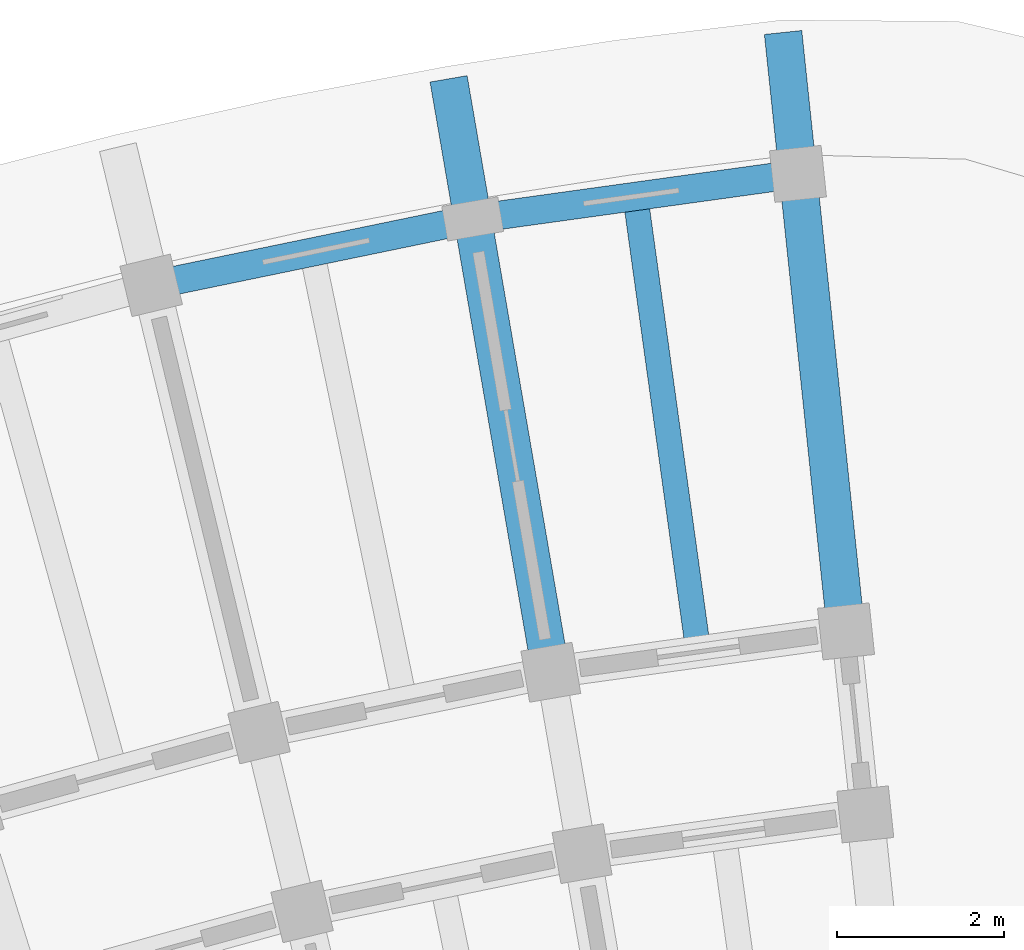
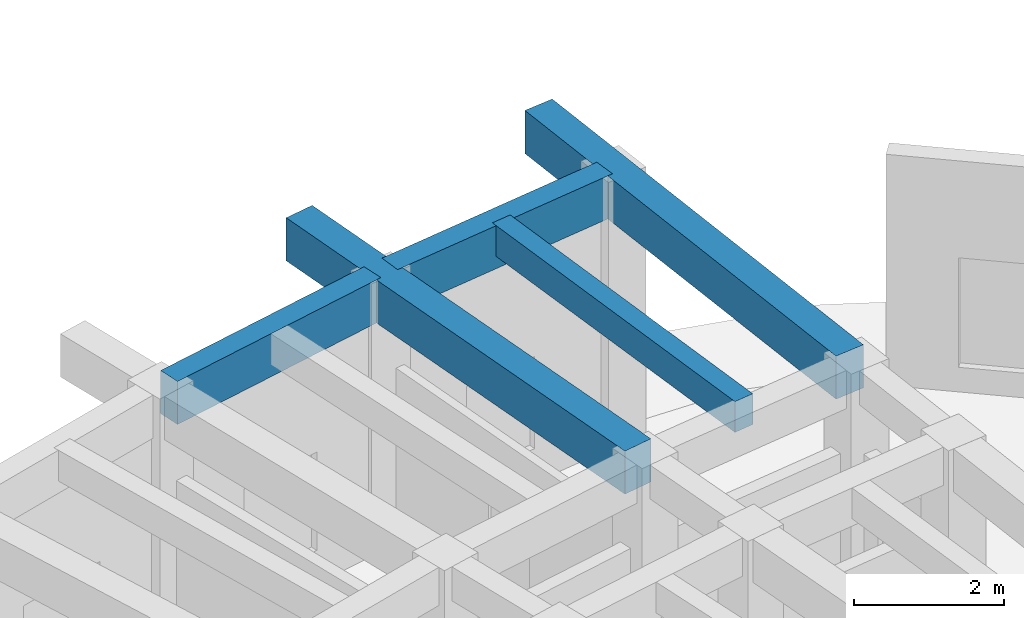
# One storey, part 42 of 132: 5 beams.
"""IFC4 building model written with IfcOpenShell, lengths in metres."""

import ifcopenshell
import ifcopenshell.guid

model = None  # the IFC model being written
_history = None  # IfcOwnerHistory: only IFC2X3 demands one
_inside = {}  # id of a spatial element -> (the spatial element, [elements in it])
_under = {}  # id of a project, library or spatial element -> (it, [spatial elements below it])
_declared = {}  # id of a project -> (the project, [libraries it declares])
_typed = {}  # id of a type object -> (the type object, [elements of that type])
_made_of = {}  # id of a material, layer set ... -> (it, [elements and type objects made of it])


def new_model(schema):
    """Start an empty IFC model of exactly this schema.

    Asked for "IFC4X3", IfcOpenShell would pick the latest addendum, in which some entities
    have other attributes; the version numbers below select the first issue.
    IFC2X3 requires an IfcOwnerHistory on every rooted entity: one is made here for all.
    """
    global model, _history
    if schema == "IFC4X3":
        model = ifcopenshell.file(schema_version=(4, 3, 0, 0))
    else:
        model = ifcopenshell.file(schema=schema)
    _inside.clear()
    _under.clear()
    _declared.clear()
    _typed.clear()
    _made_of.clear()
    _history = None
    if model.schema == "IFC2X3":
        org = make("IfcOrganization", Name="unknown")
        user = make(
            "IfcPersonAndOrganization",
            ThePerson=make("IfcPerson", FamilyName="unknown"),
            TheOrganization=org,
        )
        app = make(
            "IfcApplication",
            ApplicationDeveloper=org,
            Version="unknown",
            ApplicationFullName="unknown",
            ApplicationIdentifier="unknown",
        )
        _history = make(
            "IfcOwnerHistory",
            OwningUser=user,
            OwningApplication=app,
            ChangeAction="ADDED",
            CreationDate=0,
        )
    return model


def make(cls, **values):
    """One entity of the class cls with the attributes given. An attribute that is None is left unset."""
    return model.create_entity(
        cls, **{name: value for name, value in values.items() if value is not None}
    )


def rooted(cls, **values):
    """An entity with a GlobalId (a new one), such as an element, a storey or a relation."""
    return make(cls, GlobalId=ifcopenshell.guid.new(), OwnerHistory=_history, **values)


def si_unit(unit_type, name, prefix=None):
    """IfcSIUnit, for example si_unit("LENGTHUNIT", "METRE", prefix="MILLI")."""
    return make("IfcSIUnit", UnitType=unit_type, Prefix=prefix, Name=name)


def assignment(units):
    """IfcUnitAssignment: the units of a project."""
    return None if units is None else make("IfcUnitAssignment", Units=units)


def point(xyz):
    """IfcCartesianPoint."""
    return None if xyz is None else make("IfcCartesianPoint", Coordinates=xyz)


def direction(xyz):
    """IfcDirection."""
    return None if xyz is None else make("IfcDirection", DirectionRatios=xyz)


def frame(location, z_axis=None, x_axis=None):
    """IfcAxis2Placement3D, a coordinate frame: its origin and axes. An axis left out is left unset."""
    return make(
        "IfcAxis2Placement3D",
        Location=point(location),
        Axis=direction(z_axis),
        RefDirection=direction(x_axis),
    )


def frame_2d(location, x_axis=None):
    """IfcAxis2Placement2D, a coordinate frame in the plane: its origin and x axis."""
    return make(
        "IfcAxis2Placement2D", Location=point(location), RefDirection=direction(x_axis)
    )


def origin():
    """The frame at (0, 0, 0) with its axes left unset."""
    return frame((0.0, 0.0, 0.0))


def origin_2d():
    """The frame at (0, 0) in the plane with its x axis left unset."""
    return frame_2d((0.0, 0.0))


def place(relative_to, where):
    """IfcLocalPlacement: puts the frame where relative to a parent placement (None: the world)."""
    return make(
        "IfcLocalPlacement", PlacementRelTo=relative_to, RelativePlacement=where
    )


def context(
    kind, dimensions, precision=None, world=None, true_north=None, identifier=None
):
    """IfcGeometricRepresentationContext, for example the 3D "Model" context."""
    return make(
        "IfcGeometricRepresentationContext",
        ContextIdentifier=identifier,
        ContextType=kind,
        CoordinateSpaceDimension=dimensions,
        Precision=precision,
        WorldCoordinateSystem=world,
        TrueNorth=true_north,
    )


def subcontext(parent, identifier, kind, view, scale=None):
    """IfcGeometricRepresentationSubContext, for example "Body" below "Model"."""
    return make(
        "IfcGeometricRepresentationSubContext",
        ContextIdentifier=identifier,
        ContextType=kind,
        ParentContext=parent,
        TargetScale=scale,
        TargetView=view,
    )


def project(units=None, contexts=None):
    """IfcProject with its units and contexts."""
    return rooted(
        "IfcProject",
        Name="project",
        RepresentationContexts=contexts,
        UnitsInContext=assignment(units),
    )


def spatial(cls, under=None, at=None, **own):
    """A site, building, storey or space (cls), placed at a placement, below another one or the project."""
    s = rooted(cls, ObjectPlacement=at, **own)
    if under is not None:
        _under.setdefault(under.id(), (under, []))[1].append(s)
    return s


def profile(cls, at=None, kind="AREA", **sizes):
    """A parametric profile (cls). Its sizes go by their IFC names, for example OverallWidth=200.0."""
    return make(cls, ProfileType=kind, Position=at, **sizes)


def rectangle(**sizes):
    """IfcRectangleProfileDef."""
    return profile("IfcRectangleProfileDef", **sizes)


def extrude(swept, where, along, depth):
    """IfcExtrudedAreaSolid: the profile swept, set in the frame where, extruded along a direction by depth."""
    return make(
        "IfcExtrudedAreaSolid",
        SweptArea=swept,
        Position=where,
        ExtrudedDirection=direction(along),
        Depth=depth,
    )


def shape(context_of_items, identifier, shape_type, items):
    """IfcShapeRepresentation: the items that make up one representation, for example the "Body"."""
    return make(
        "IfcShapeRepresentation",
        ContextOfItems=context_of_items,
        RepresentationIdentifier=identifier,
        RepresentationType=shape_type,
        Items=items,
    )


def material(Name=None, Category=None):
    """IfcMaterial."""
    return make("IfcMaterial", Name=Name, Category=Category)


def material_profile(
    of_material, cross_section, Name=None, Category=None, Priority=None
):
    """IfcMaterialProfile: a cross section and its material."""
    return make(
        "IfcMaterialProfile",
        Name=Name,
        Material=of_material,
        Profile=cross_section,
        Priority=Priority,
        Category=Category,
    )


def profile_set(profiles, Name=None, composite=None):
    """IfcMaterialProfileSet."""
    return make(
        "IfcMaterialProfileSet",
        Name=Name,
        MaterialProfiles=profiles,
        CompositeProfile=composite,
    )


def made_of(thing, what):
    """Note that an element or type object is made of a material, layer set ...; save() writes the relation."""
    if what is not None:
        _made_of.setdefault(what.id(), (what, []))[1].append(thing)
    return thing


def type_object(cls, material=None, **own):
    """A type object (cls), such as IfcWallType, which elements share."""
    return made_of(rooted(cls, **own), material)


def element(
    cls,
    number,
    at=None,
    inside=None,
    cuts=None,
    type_object=None,
    material=None,
    context=None,
    identifier="Body",
    shape_type=None,
    held_by="IfcProductDefinitionShape",
    body=None,
    shapes=None,
    **own,
):
    """One element of the class cls, such as IfcWall. Its Tag is "e" and its number.

    at: its placement. inside: the storey or other place that contains it. cuts: it is an
    opening in that element (IfcRelVoidsElement). A single representation is given by context,
    identifier, shape_type and body (its items); several are given by shapes. held_by: the class
    of the entity that holds the representations. save() writes the other relations.
    """
    e = rooted(cls, Tag="e%d" % number, ObjectPlacement=at, **own)
    if body is not None:
        shapes = [shape(context, identifier, shape_type, body)]
    if shapes is not None:
        e.Representation = make(held_by, Representations=shapes)
    if inside is not None:
        _inside.setdefault(inside.id(), (inside, []))[1].append(e)
    if cuts is not None:
        rooted(
            "IfcRelVoidsElement", RelatingBuildingElement=cuts, RelatedOpeningElement=e
        )
    if type_object is not None:
        _typed.setdefault(type_object.id(), (type_object, []))[1].append(e)
    return made_of(e, material)


def aggregate(whole, parts):
    """IfcRelAggregates: a whole, such as a stair, and the parts it consists of."""
    return rooted("IfcRelAggregates", RelatingObject=whole, RelatedObjects=parts)


def save(model, path):
    """Write the relations noted so far, then the file.

    IfcRelAggregates (storeys below a building ...), IfcRelContainedInSpatialStructure (elements
    in a storey), IfcRelDefinesByType, IfcRelAssociatesMaterial and IfcRelDeclares: one each for
    every whole, place, type object, material and project.
    """
    for whole, parts in _under.values():
        aggregate(whole, parts)
    for where, things in _inside.values():
        rooted(
            "IfcRelContainedInSpatialStructure",
            RelatedElements=things,
            RelatingStructure=where,
        )
    for kind, things in _typed.values():
        rooted("IfcRelDefinesByType", RelatedObjects=things, RelatingType=kind)
    for what, things in _made_of.values():
        rooted("IfcRelAssociatesMaterial", RelatedObjects=things, RelatingMaterial=what)
    for by, libraries in _declared.values():
        rooted("IfcRelDeclares", RelatingContext=by, RelatedDefinitions=libraries)
    model.write(path)


model = new_model("IFC4")

# Units and contexts
model_context = context("Model", 3, precision=1e-05, world=origin(), true_north=direction((0.0, 1.0)))
body_context = subcontext(model_context, "Body", "Model", "MODEL_VIEW")
ifc_project = project(units=[si_unit("LENGTHUNIT", "METRE"), si_unit("AREAUNIT", "SQUARE_METRE"), si_unit("VOLUMEUNIT", "CUBIC_METRE"), si_unit("PLANEANGLEUNIT", "RADIAN"), si_unit("MASSUNIT", "GRAM", prefix="KILO")], contexts=[model_context])

# Site, building, storey
site_placement = place(None, origin())
site = spatial("IfcSite", under=ifc_project, at=site_placement, CompositionType="ELEMENT")
building_placement = place(site_placement, origin())
building = spatial("IfcBuilding", under=site, at=building_placement, Name="Tanwirah Colonnade Gardens", CompositionType="ELEMENT")
storey_placement = place(building_placement, origin())
storey = spatial("IfcBuildingStorey", under=building, at=storey_placement, Name="L00", CompositionType="ELEMENT", Elevation=0.0)

# Beams
ifc_material_1 = material(Name="Precast concrete C45/55", Category="concrete")
ifc_material_profile_1 = material_profile(ifc_material_1, rectangle(XDim=0.449951171875, YDim=0.699951171875, at=origin_2d()), Name="PC-BM 450x700")
ifc_profile_set_1 = profile_set([ifc_material_profile_1], Name="Precast concrete C45/55")
beam_type_1 = type_object("IfcBeamType", Name="BM-PC450", PredefinedType="BEAM", material=ifc_profile_set_1)
beam_1_placement = place(storey_placement, frame((59.33447265625, 114.10302734375, 4.135009765625), z_axis=(-0.104511730475, 0.994523653913, 0.0), x_axis=(-0.994523653913, -0.104511730475, 0.0)))
element("IfcBeam", 1, at=beam_1_placement, inside=storey, type_object=beam_type_1, Name="Block A L00 Outer Radial Precast Girder 0", PredefinedType="BEAM", context=body_context, shape_type="SweptSolid", body=[
    extrude(rectangle(XDim=0.449951171875, YDim=0.699951171875, at=origin_2d()), origin(), (0.0, 0.0, 1.0), 7.050048828125),
])
beam_2_placement = place(storey_placement, frame((55.79541015625, 113.61279296875, 4.135009765625), z_axis=(-0.169826898404, 0.985473908624, 0.0), x_axis=(-0.985473908624, -0.169826898404, 0.0)))
element("IfcBeam", 2, at=beam_2_placement, inside=storey, type_object=beam_type_1, Name="Block A L00 Outer Radial Precast Girder 1", PredefinedType="BEAM", context=body_context, shape_type="SweptSolid", body=[
    extrude(rectangle(XDim=0.449951171875, YDim=0.699951171875, at=origin_2d()), origin(), (0.0, 0.0, 1.0), 7.0498046875),
])
ifc_material_2 = material(Name="Precast concrete C40/50", Category="concrete")
ifc_material_profile_2 = material_profile(ifc_material_2, rectangle(XDim=0.300048828125, YDim=0.5, at=origin_2d()), Name="PC-JST 300x500")
ifc_profile_set_2 = profile_set([ifc_material_profile_2], Name="Precast concrete C40/50")
beam_type_2 = type_object("IfcBeamType", Name="JST-PC300", PredefinedType="JOIST", material=ifc_profile_set_2)
beam_3_placement = place(storey_placement, frame((57.56494140625, 113.857421875, 4.235107421875), z_axis=(-0.137248344923, 0.990536668587, 0.0), x_axis=(-0.990536668587, -0.137248344923, 0.0)))
element("IfcBeam", 3, at=beam_3_placement, inside=storey, type_object=beam_type_2, Name="Block A L00 Precast Floor Joist 0", PredefinedType="JOIST", context=body_context, shape_type="SweptSolid", body=[
    extrude(rectangle(XDim=0.300048828125, YDim=0.5, at=origin_2d()), origin(), (0.0, 0.0, 1.0), 5.260009765625),
])
ifc_material_profile_3 = material_profile(ifc_material_1, rectangle(XDim=0.340087890625, YDim=0.699951171875, at=origin_2d()), Name="PC-SP 340x700")
ifc_profile_set_3 = profile_set([ifc_material_profile_3], Name="Precast concrete C45/55")
beam_type_3 = type_object("IfcBeamType", Name="SP-PC340", PredefinedType="SPANDREL", material=ifc_profile_set_3)
for number, where, z_axis, x_axis, name in (
    (4, (58.626708984375, 119.403076171875, 4.135009765625), (-0.990538603978, -0.137234376268, 0.0), (0.137234376268, -0.990538603978, 0.0), "Block A L00 Circumferential Beam 0-R3"),
    (5, (54.739990234375, 118.854736328125, 4.135009765625), (-0.979328544205, -0.202276055197, 0.0), (0.202276055197, -0.979328544205, 0.0), "Block A L00 Circumferential Beam 1-R3"),
):
    element("IfcBeam", number, at=place(storey_placement, frame(where, z_axis=z_axis, x_axis=x_axis)), inside=storey, type_object=beam_type_3, Name=name, PredefinedType="SPANDREL", context=body_context, shape_type="SweptSolid", body=[
        extrude(rectangle(XDim=0.340087890625, YDim=0.699951171875, at=origin_2d()), origin(), (0.0, 0.0, 1.0), 3.625732421875),
    ])

save(model, "model.ifc")
